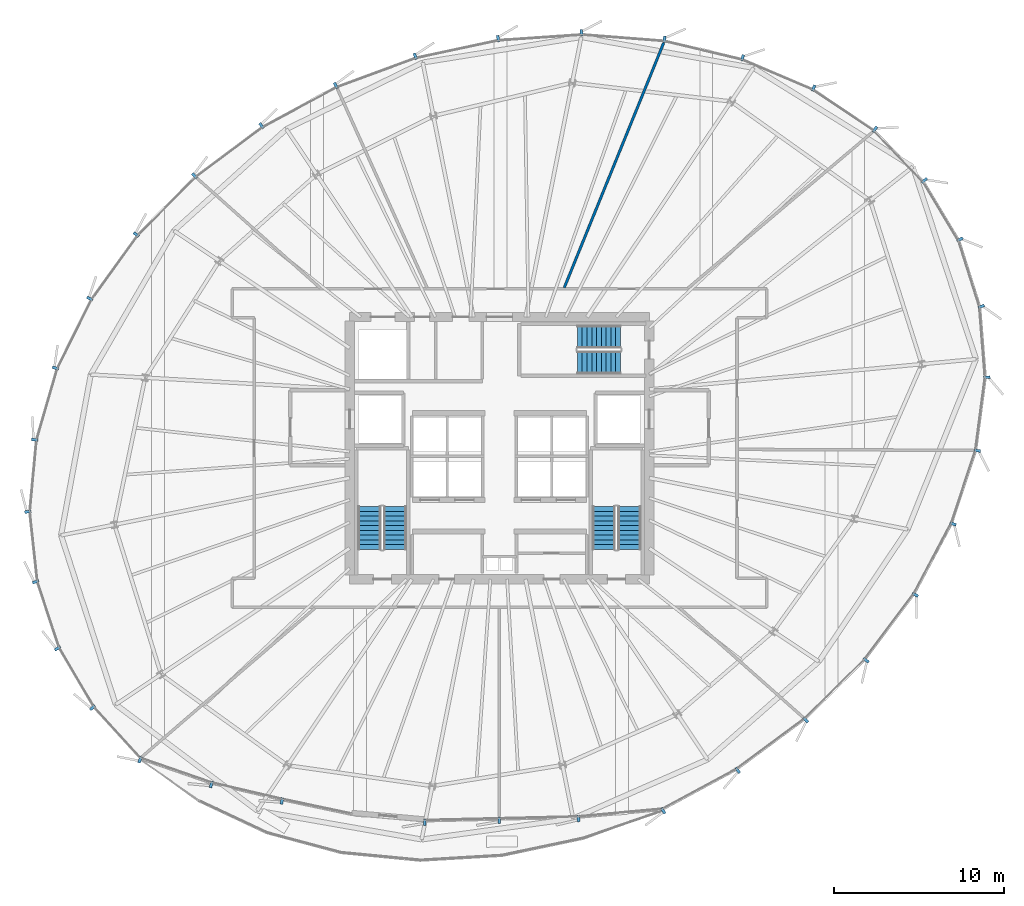
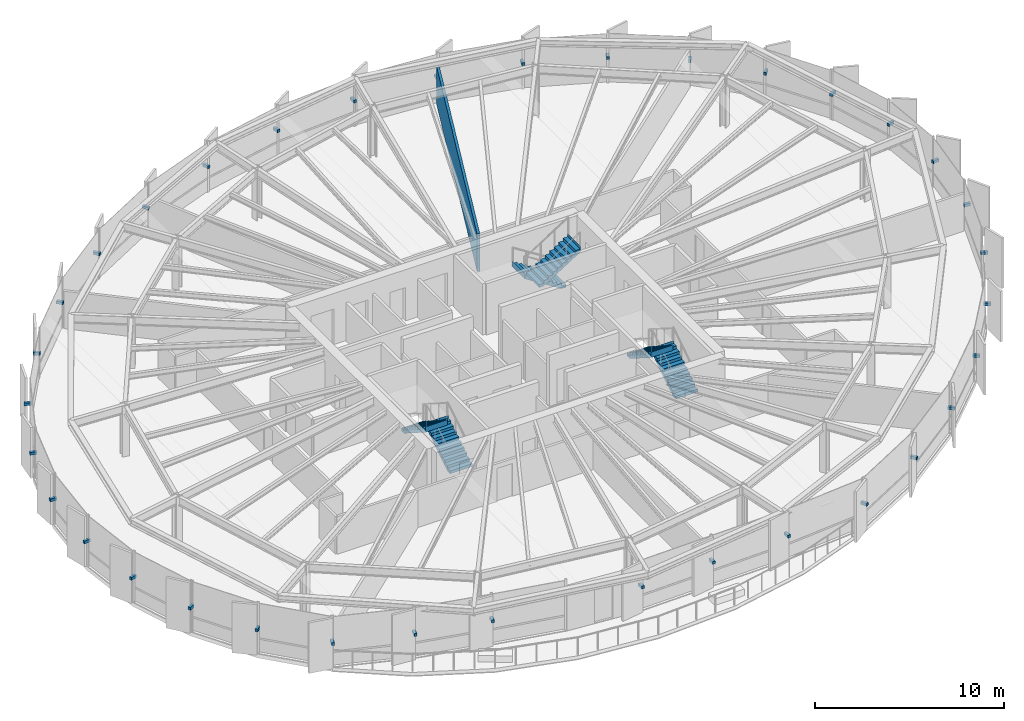
# One storey, part 33 of 37: 35 discrete accessories, 6 stair flights, 1 wall, 3 elements without a shape of their own.
"""IFC4 building model written with IfcOpenShell, lengths in metres."""

from ifc_helpers import new_model, si_unit, direction, frame, frame_2d, origin, origin_2d, place, context, subcontext, project, spatial, polyline, rectangle, outline, extrude, source, transform, mapped, material, layer, layer_set, type_object, element, aggregate, save


model = new_model("IFC4")

# Units and contexts
model_context = context("Model", 3, precision=1e-05, world=origin(), true_north=direction((0.0, 1.0)))
body_context = subcontext(model_context, "Body", "Model", "MODEL_VIEW")
ifc_project = project(units=[si_unit("LENGTHUNIT", "METRE"), si_unit("AREAUNIT", "SQUARE_METRE"), si_unit("VOLUMEUNIT", "CUBIC_METRE"), si_unit("PLANEANGLEUNIT", "RADIAN"), si_unit("MASSUNIT", "GRAM", prefix="KILO"), si_unit("THERMODYNAMICTEMPERATUREUNIT", "KELVIN")], contexts=[model_context])

# Site, building, storey
site_placement = place(None, origin())
site = spatial("IfcSite", under=ifc_project, at=site_placement, CompositionType="ELEMENT")
building_placement = place(site_placement, origin())
building = spatial("IfcBuilding", under=site, at=building_placement, Name="Kethvar Cultural Tower", CompositionType="ELEMENT")
storey_placement = place(building_placement, frame((0.0, 0.0, 132.35009765625)))
storey = spatial("IfcBuildingStorey", under=building, at=storey_placement, Name="L33", CompositionType="ELEMENT", Elevation=132.35009765625)

# Wall
ifc_material_1 = material(Name="Gypsum Acoustic Partition")
ifc_layer = layer(ifc_material_1, 0.14990234375, Name="Gypsum Acoustic Partition")
ifc_layer_set = layer_set([ifc_layer], Name="Gypsum Acoustic Partition (150 mm)")
wall_type = type_object("IfcWallType", Name="WL-PART-150", PredefinedType="PARTITIONING", material=ifc_layer_set)
wall_placement = place(storey_placement, frame((50.6044921875, 37.22412109375, 0.0), z_axis=(0.0, 0.0, 1.0), x_axis=(0.376264805721, 0.926512167203, 0.0)))
element("IfcWall", 1, at=wall_placement, inside=storey, type_object=wall_type, Name="L33 Radial Partition Wall 06", PredefinedType="PARTITIONING", context=body_context, shape_type="SweptSolid", body=[
    extrude(rectangle(XDim=15.52001953125, YDim=0.14990234375, at=frame_2d((7.760009765625, 0.0))), origin(), (0.0, 0.0, 1.0), 2.44482421875),
])

# Stair, stair flights
ifc_material_2 = material(Name="Concrete C40/50", Category="concrete")
stair_type = type_object("IfcStairType", Name="ST-DOGLEG-135", PredefinedType="HALF_TURN_STAIR", material=ifc_material_2)
stair_1_placement = place(storey_placement, origin())
stair_1 = element("IfcStair", 2, at=stair_1_placement, inside=storey, type_object=stair_type, Name="L33 Core Exit Stair 1", PredefinedType="HALF_TURN_STAIR")
stair_flight_type = type_object("IfcStairFlightType", Name="FL-STRAIGHT-135", PredefinedType="STRAIGHT", material=ifc_material_2)
stair_flight_1_placement = place(storey_placement, frame((40.675048828125, 21.85009765625, 0.0), z_axis=(0.0, 0.0, 1.0), x_axis=(0.0, 1.0, 0.0)))
stair_flight_1 = element("IfcStairFlight", 3, at=stair_flight_1_placement, type_object=stair_flight_type, Name="ST-01 flight 1", NumberOfRisers=10, NumberOfTreads=9, PredefinedType="STRAIGHT", RiserHeight=0.1775, TreadLength=0.28, context=body_context, shape_type="SweptSolid", body=[
    extrude(outline(polyline([(-0.0009765625, -0.0009765625), (-0.0009765625, 0.177490234375), (0.280029296875, 0.177490234375), (0.280029296875, 0.35498046875), (0.56005859375, 0.35498046875), (0.56005859375, 0.532470703125), (0.840087890625, 0.532470703125), (0.840087890625, 0.7099609375), (1.1201171875, 0.7099609375), (1.1201171875, 0.887451171875), (1.39990234375, 0.887451171875), (1.39990234375, 1.06494140625), (1.679931640625, 1.06494140625), (1.679931640625, 1.242431640625), (1.9599609375, 1.242431640625), (1.9599609375, 1.419921875), (2.239990234375, 1.419921875), (2.239990234375, 1.597412109375), (2.52001953125, 1.597412109375), (2.52001953125, 1.77490234375), (2.52099609375, 1.77490234375), (2.52099609375, 1.419921875), (0.280029296875, 0.0), (0.0, -0.0009765625), (-0.0009765625, -0.0009765625)])), frame((0.0, 0.675048828125, 0.0), z_axis=(0.0, -1.0, 0.0), x_axis=(1.0, 0.0, 0.0)), (0.0, 0.0, 1.0), 1.35009765625),
])
stair_flight_2_placement = place(storey_placement, frame((39.1650390625, 24.3701171875, 1.77490234375), z_axis=(0.0, 0.0, 1.0), x_axis=(0.0, -1.0, 0.0)))
stair_flight_2 = element("IfcStairFlight", 4, at=stair_flight_2_placement, type_object=stair_flight_type, Name="ST-01 flight 2", NumberOfRisers=10, NumberOfTreads=9, PredefinedType="STRAIGHT", RiserHeight=0.1775, TreadLength=0.28, context=body_context, shape_type="SweptSolid", body=[
    extrude(outline(polyline([(-0.0009765625, -0.0009765625), (-0.0009765625, 0.177490234375), (0.280029296875, 0.177490234375), (0.280029296875, 0.35498046875), (0.56005859375, 0.35498046875), (0.56005859375, 0.532470703125), (0.840087890625, 0.532470703125), (0.840087890625, 0.7099609375), (1.1201171875, 0.7099609375), (1.1201171875, 0.887451171875), (1.39990234375, 0.887451171875), (1.39990234375, 1.06494140625), (1.679931640625, 1.06494140625), (1.679931640625, 1.242431640625), (1.9599609375, 1.242431640625), (1.9599609375, 1.419921875), (2.239990234375, 1.419921875), (2.239990234375, 1.597412109375), (2.52001953125, 1.597412109375), (2.52001953125, 1.77490234375), (2.52099609375, 1.77490234375), (2.52099609375, 1.419921875), (0.280029296875, 0.0), (0.0, -0.0009765625), (-0.0009765625, -0.0009765625)])), frame((0.0, 0.675048828125, 0.0), z_axis=(0.0, -1.0, 0.0), x_axis=(1.0, 0.0, 0.0)), (0.0, 0.0, 1.0), 1.35009765625),
])
aggregate(stair_1, [stair_flight_1, stair_flight_2])

stair_2_placement = place(storey_placement, origin())
stair_2 = element("IfcStair", 5, at=stair_2_placement, inside=storey, type_object=stair_type, Name="L33 Core Exit Stair 2", PredefinedType="HALF_TURN_STAIR")
stair_flight_3_placement = place(storey_placement, frame((54.43505859375, 21.85009765625, 0.0), z_axis=(0.0, 0.0, 1.0), x_axis=(0.0, 1.0, 0.0)))
stair_flight_3 = element("IfcStairFlight", 6, at=stair_flight_3_placement, type_object=stair_flight_type, Name="ST-02 flight 1", NumberOfRisers=10, NumberOfTreads=9, PredefinedType="STRAIGHT", RiserHeight=0.1775, TreadLength=0.28, context=body_context, shape_type="SweptSolid", body=[
    extrude(outline(polyline([(-0.0009765625, -0.0009765625), (-0.0009765625, 0.177490234375), (0.280029296875, 0.177490234375), (0.280029296875, 0.35498046875), (0.56005859375, 0.35498046875), (0.56005859375, 0.532470703125), (0.840087890625, 0.532470703125), (0.840087890625, 0.7099609375), (1.1201171875, 0.7099609375), (1.1201171875, 0.887451171875), (1.39990234375, 0.887451171875), (1.39990234375, 1.06494140625), (1.679931640625, 1.06494140625), (1.679931640625, 1.242431640625), (1.9599609375, 1.242431640625), (1.9599609375, 1.419921875), (2.239990234375, 1.419921875), (2.239990234375, 1.597412109375), (2.52001953125, 1.597412109375), (2.52001953125, 1.77490234375), (2.52099609375, 1.77490234375), (2.52099609375, 1.419921875), (0.280029296875, 0.0), (0.0, -0.0009765625), (-0.0009765625, -0.0009765625)])), frame((0.0, 0.675048828125, 0.0), z_axis=(0.0, -1.0, 0.0), x_axis=(1.0, 0.0, 0.0)), (0.0, 0.0, 1.0), 1.35009765625),
])
stair_flight_4_placement = place(storey_placement, frame((52.925048828125, 24.3701171875, 1.77490234375), z_axis=(0.0, 0.0, 1.0), x_axis=(0.0, -1.0, 0.0)))
stair_flight_4 = element("IfcStairFlight", 7, at=stair_flight_4_placement, type_object=stair_flight_type, Name="ST-02 flight 2", NumberOfRisers=10, NumberOfTreads=9, PredefinedType="STRAIGHT", RiserHeight=0.1775, TreadLength=0.28, context=body_context, shape_type="SweptSolid", body=[
    extrude(outline(polyline([(-0.0009765625, -0.0009765625), (-0.0009765625, 0.177490234375), (0.280029296875, 0.177490234375), (0.280029296875, 0.35498046875), (0.56005859375, 0.35498046875), (0.56005859375, 0.532470703125), (0.840087890625, 0.532470703125), (0.840087890625, 0.7099609375), (1.1201171875, 0.7099609375), (1.1201171875, 0.887451171875), (1.39990234375, 0.887451171875), (1.39990234375, 1.06494140625), (1.679931640625, 1.06494140625), (1.679931640625, 1.242431640625), (1.9599609375, 1.242431640625), (1.9599609375, 1.419921875), (2.239990234375, 1.419921875), (2.239990234375, 1.597412109375), (2.52001953125, 1.597412109375), (2.52001953125, 1.77490234375), (2.52099609375, 1.77490234375), (2.52099609375, 1.419921875), (0.280029296875, 0.0), (0.0, -0.0009765625), (-0.0009765625, -0.0009765625)])), frame((0.0, 0.675048828125, 0.0), z_axis=(0.0, -1.0, 0.0), x_axis=(1.0, 0.0, 0.0)), (0.0, 0.0, 1.0), 1.35009765625),
])
aggregate(stair_2, [stair_flight_3, stair_flight_4])

stair_3_placement = place(storey_placement, origin())
stair_3 = element("IfcStair", 8, at=stair_3_placement, inside=storey, type_object=stair_type, Name="L33 Core Exit Stair 3", PredefinedType="HALF_TURN_STAIR")
stair_flight_5_placement = place(storey_placement, frame((53.89990234375, 34.3349609375, 0.0), z_axis=(0.0, 0.0, 1.0), x_axis=(-1.0, 0.0, 0.0)))
stair_flight_5 = element("IfcStairFlight", 9, at=stair_flight_5_placement, type_object=stair_flight_type, Name="ST-03 flight 1", NumberOfRisers=10, NumberOfTreads=9, PredefinedType="STRAIGHT", RiserHeight=0.1775, TreadLength=0.28, context=body_context, shape_type="SweptSolid", body=[
    extrude(outline(polyline([(-0.0009765625, -0.0009765625), (-0.0009765625, 0.177490234375), (0.280029296875, 0.177490234375), (0.280029296875, 0.35498046875), (0.56005859375, 0.35498046875), (0.56005859375, 0.532470703125), (0.840087890625, 0.532470703125), (0.840087890625, 0.7099609375), (1.1201171875, 0.7099609375), (1.1201171875, 0.887451171875), (1.39990234375, 0.887451171875), (1.39990234375, 1.06494140625), (1.679931640625, 1.06494140625), (1.679931640625, 1.242431640625), (1.9599609375, 1.242431640625), (1.9599609375, 1.419921875), (2.239990234375, 1.419921875), (2.239990234375, 1.597412109375), (2.52001953125, 1.597412109375), (2.52001953125, 1.77490234375), (2.52099609375, 1.77490234375), (2.52099609375, 1.419921875), (0.280029296875, 0.0), (0.0, -0.0009765625), (-0.0009765625, -0.0009765625)])), frame((0.0, 0.675048828125, 0.0), z_axis=(0.0, -1.0, 0.0), x_axis=(1.0, 0.0, 0.0)), (0.0, 0.0, 1.0), 1.35009765625),
])
stair_flight_6_placement = place(storey_placement, frame((51.3798828125, 32.824951171875, 1.77490234375), z_axis=(0.0, 0.0, 1.0), x_axis=(1.0, 0.0, 0.0)))
stair_flight_6 = element("IfcStairFlight", 10, at=stair_flight_6_placement, type_object=stair_flight_type, Name="ST-03 flight 2", NumberOfRisers=10, NumberOfTreads=9, PredefinedType="STRAIGHT", RiserHeight=0.1775, TreadLength=0.28, context=body_context, shape_type="SweptSolid", body=[
    extrude(outline(polyline([(-0.0009765625, -0.0009765625), (-0.0009765625, 0.177490234375), (0.280029296875, 0.177490234375), (0.280029296875, 0.35498046875), (0.56005859375, 0.35498046875), (0.56005859375, 0.532470703125), (0.840087890625, 0.532470703125), (0.840087890625, 0.7099609375), (1.1201171875, 0.7099609375), (1.1201171875, 0.887451171875), (1.39990234375, 0.887451171875), (1.39990234375, 1.06494140625), (1.679931640625, 1.06494140625), (1.679931640625, 1.242431640625), (1.9599609375, 1.242431640625), (1.9599609375, 1.419921875), (2.239990234375, 1.419921875), (2.239990234375, 1.597412109375), (2.52001953125, 1.597412109375), (2.52001953125, 1.77490234375), (2.52099609375, 1.77490234375), (2.52099609375, 1.419921875), (0.280029296875, 0.0), (0.0, -0.0009765625), (-0.0009765625, -0.0009765625)])), frame((0.0, 0.675048828125, 0.0), z_axis=(0.0, -1.0, 0.0), x_axis=(1.0, 0.0, 0.0)), (0.0, 0.0, 1.0), 1.35009765625),
])
aggregate(stair_3, [stair_flight_5, stair_flight_6])

# Discrete accessories
ifc_material_3 = material(Name="Steel S355J2", Category="steel")
discrete_accessory_type = type_object("IfcDiscreteAccessoryType", Name="Steel Fin Bracket BRK-01", PredefinedType="BRACKET", material=ifc_material_3)
shared_shape = source(origin(), body_context, "Body", "SweptSolid", [
    extrude(rectangle(XDim=0.3798828125, YDim=0.159912109375, at=origin_2d()), origin(), (0.0, 0.0, 1.0), 0.179931640625),
])
for number, where, z_axis, x_axis, name in (
    (11, (73.84814453125, 40.056396484375, 1.56005859375), (0.0, 0.0, 1.0), (0.856987466281, 0.515337251359, 0.0), "L33 Terracotta Fin Bracket 1.1"),
    (12, (71.762451171875, 43.524658203125, 1.56005859375), (0.0, 0.0, 1.0), (0.718490578396, 0.695536691165, 0.0), "L33 Terracotta Fin Bracket 1.2"),
    (13, (68.854736328125, 46.5283203125, 1.56005859375), (0.0, 0.0, 1.0), (0.557600236013, 0.830109617338, 0.0), "L33 Terracotta Fin Bracket 1.3"),
    (14, (65.248779296875, 48.950439453125, 1.56005859375), (0.0, 0.0, 1.0), (0.391855445435, 0.920026798459, 0.0), "L33 Terracotta Fin Bracket 1.4"),
    (15, (61.0771484375, 50.727294921875, 1.56005859375), (0.0, 0.0, 1.0), (0.231068721395, 0.972937431695, 0.0), "L33 Terracotta Fin Bracket 1.5"),
    (16, (56.4912109375, 51.81591796875, 1.56005859375), (0.0, 0.0, 1.0), (0.077937100301, 0.996958278162, 0.0), "L33 Terracotta Fin Bracket 1.6"),
    (17, (51.61328125, 52.191162109375, 1.56005859375), (0.0, 0.0, 1.0), (-0.068363544026, 0.997660476238, 0.0), "L33 Terracotta Fin Bracket 2.1"),
    (18, (46.72216796875, 51.85595703125, 1.56005859375), (0.0, 0.0, 1.0), (-0.209277239403, 0.977856347869, 0.0), "L33 Terracotta Fin Bracket 2.2"),
    (19, (41.85400390625, 50.814453125, 1.56005859375), (0.0, 0.0, 1.0), (-0.345461991671, 0.938432742561, 0.0), "L33 Terracotta Fin Bracket 2.3"),
    (20, (37.18408203125, 49.09521484375, 1.56005859375), (0.0, 0.0, 1.0), (-0.47562420907, 0.879648572867, 0.0), "L33 Terracotta Fin Bracket 2.4"),
    (21, (32.81982421875, 46.735107421875, 1.56005859375), (0.0, 0.0, 1.0), (-0.597485201625, 0.801879937297, 0.0), "L33 Terracotta Fin Bracket 2.5"),
    (22, (28.880615234375, 43.7998046875, 1.56005859375), (0.0, 0.0, 1.0), (-0.709816657042, 0.704386480127, 0.0), "L33 Terracotta Fin Bracket 2.6"),
    (23, (25.46240234375, 40.3466796875, 1.56005859375), (0.0, 0.0, 1.0), (-0.810655243875, 0.585523761754, 0.0), "L33 Terracotta Fin Bracket 3.1"),
    (24, (22.73779296875, 36.57470703125, 1.56005859375), (0.0, 0.0, 1.0), (-0.896021955849, 0.444009746106, 0.0), "L33 Terracotta Fin Bracket 3.2"),
    (25, (20.72119140625, 32.504150390625, 1.56005859375), (0.0, 0.0, 1.0), (-0.960293685677, 0.278991106039, 0.0), "L33 Terracotta Fin Bracket 3.3"),
    (26, (19.497314453125, 28.290771484375, 1.56005859375), (0.0, 0.0, 1.0), (-0.995676196569, 0.092891934994, 0.0), "L33 Terracotta Fin Bracket 3.4"),
    (27, (19.102783203125, 24.062255859375, 1.56005859375), (0.0, 0.0, 1.0), (-0.994150963972, -0.107999355706, 0.0), "L33 Terracotta Fin Bracket 3.5"),
    (28, (19.550048828125, 19.947265625, 1.56005859375), (0.0, 0.0, 1.0), (-0.949917524329, -0.312500715155, 0.0), "L33 Terracotta Fin Bracket 3.6"),
    (29, (20.84521484375, 16.037109375, 1.56005859375), (0.0, 0.0, 1.0), (-0.862601975623, -0.505883219381, 0.0), "L33 Terracotta Fin Bracket 4.1"),
    (30, (22.889892578125, 12.551025390625, 1.56005859375), (0.0, 0.0, 1.0), (-0.738455340626, -0.674302387584, 0.0), "L33 Terracotta Fin Bracket 4.2"),
    (31, (25.683837890625, 9.4931640625, 1.56005859375), (0.0, 0.0, 1.0), (-0.327217898979, -0.944948912158, 0.0), "L33 Terracotta Fin Bracket 4.3"),
    (32, (29.8701171875, 8.043212890625, 1.56005859375), (0.0, 0.0, 1.0), (-0.227161248969, -0.973857159427, 0.0), "L33 Terracotta Fin Bracket 4.4"),
    (33, (34.022216796875, 7.07470703125, 1.56005859375), (0.0, 0.0, 1.0), (-0.207058016949, -0.978328665438, 0.0), "L33 Terracotta Fin Bracket 4.5"),
    (34, (42.4130859375, 5.832763671875, 1.56005859375), (0.0, 0.0, 1.0), (0.023036308188, -0.999734629042, 0.0), "L33 Terracotta Fin Bracket 5.1"),
    (35, (46.788818359375, 5.93359375, 1.56005859375), (0.0, 0.0, 1.0), (0.023734248954, -0.999718303037, 0.0), "L33 Terracotta Fin Bracket 5.2"),
    (36, (51.43798828125, 6.043701171875, 1.56005859375), (0.0, 0.0, 1.0), (0.092023008338, -0.995756880939, 0.0), "L33 Terracotta Fin Bracket 5.3"),
    (37, (56.416015625, 6.5048828125, 1.56005859375), (0.0, 0.0, 1.0), (0.475470674188, -0.879731571553, 0.0), "L33 Terracotta Fin Bracket 5.4"),
    (38, (60.793701171875, 8.87109375, 1.56005859375), (0.0, 0.0, 1.0), (0.595103349486, -0.803649179326, 0.0), "L33 Terracotta Fin Bracket 5.5"),
    (39, (64.794189453125, 11.833984375, 1.56005859375), (0.0, 0.0, 1.0), (0.703146544139, -0.711044961634, 0.0), "L33 Terracotta Fin Bracket 5.6"),
    (40, (68.331298828125, 15.340087890625, 1.56005859375), (0.0, 0.0, 1.0), (0.799370169588, -0.60083885691, 0.0), "L33 Terracotta Fin Bracket 6.1"),
    (41, (71.224365234375, 19.188720703125, 1.56005859375), (0.0, 0.0, 1.0), (0.882619624736, -0.470087862033, 0.0), "L33 Terracotta Fin Bracket 6.2"),
    (42, (73.440185546875, 23.34912109375, 1.56005859375), (0.0, 0.0, 1.0), (0.949260941439, -0.314489530921, 0.0), "L33 Terracotta Fin Bracket 6.3"),
    (43, (74.865966796875, 27.653564453125, 1.56005859375), (0.0, 0.0, 1.0), (0.991422065155, -0.130699230003, 0.0), "L33 Terracotta Fin Bracket 6.4"),
    (44, (75.433349609375, 31.960205078125, 1.56005859375), (0.0, 0.0, 1.0), (0.996862316013, 0.079155056145, 0.0), "L33 Terracotta Fin Bracket 6.5"),
    (45, (75.1025390625, 36.1279296875, 1.56005859375), (0.0, 0.0, 1.0), (0.953296156722, 0.302037146025, 0.0), "L33 Terracotta Fin Bracket 6.6"),
):
    element("IfcDiscreteAccessory", number, at=place(storey_placement, frame(where, z_axis=z_axis, x_axis=x_axis)), inside=storey, type_object=discrete_accessory_type, Name=name, PredefinedType="BRACKET", context=body_context, shape_type="MappedRepresentation", body=[
        mapped(shared_shape, transform((0.0, 0.0, 0.0), scale=1.0)),
    ])

save(model, "model.ifc")
